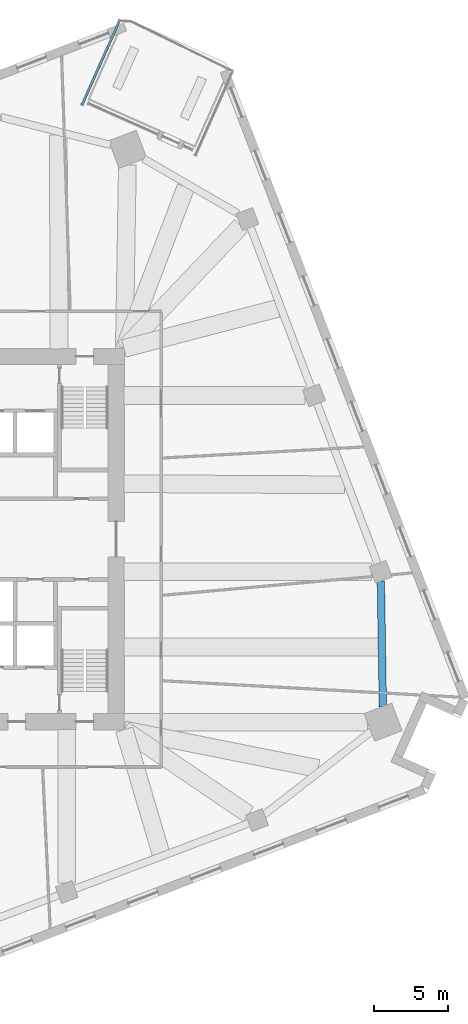
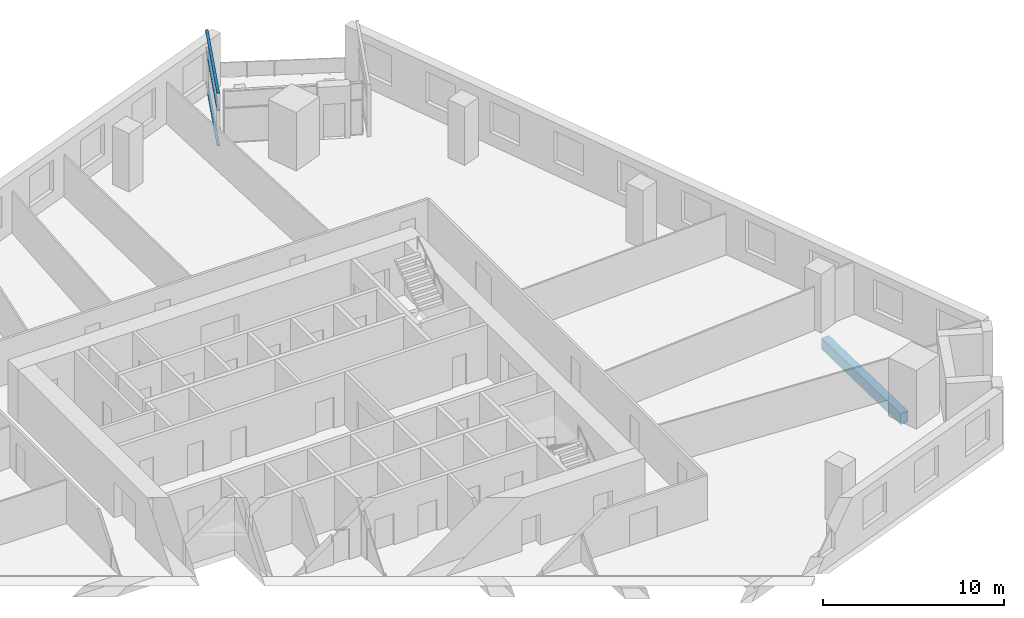
# One storey, part 3 of 14: 3 members, 1 beam, 1 element without a shape of its own.
"""IFC4 building model written with IfcOpenShell, lengths in metres."""

from ifc_helpers import new_model, si_unit, direction, frame, origin, origin_2d, place, context, subcontext, project, spatial, rectangle, extrude, material, material_profile, profile_set, type_object, element, aggregate, save


model = new_model("IFC4")

# Units and contexts
model_context = context("Model", 3, precision=1e-05, world=origin(), true_north=direction((0.0, 1.0)))
body_context = subcontext(model_context, "Body", "Model", "MODEL_VIEW")
ifc_project = project(units=[si_unit("LENGTHUNIT", "METRE"), si_unit("AREAUNIT", "SQUARE_METRE"), si_unit("VOLUMEUNIT", "CUBIC_METRE"), si_unit("PLANEANGLEUNIT", "RADIAN"), si_unit("MASSUNIT", "GRAM", prefix="KILO")], contexts=[model_context])

# Site, building, storey
site_placement = place(None, origin())
site = spatial("IfcSite", under=ifc_project, at=site_placement, CompositionType="ELEMENT")
building_placement = place(site_placement, origin())
building = spatial("IfcBuilding", under=site, at=building_placement, Name="Dilmun Exchange Tower", CompositionType="ELEMENT")
storey_placement = place(building_placement, frame((0.0, 0.0, 110.10009765625)))
storey = spatial("IfcBuildingStorey", under=building, at=storey_placement, Name="L25", CompositionType="ELEMENT", Elevation=110.10009765625)

# Curtain wall, members
ifc_material_1 = material(Name="Anodised aluminium and clear glass", Category="aluminium")
curtain_wall_type = type_object("IfcCurtainWallType", Name="Garden corner glazing", PredefinedType="NOTDEFINED", material=ifc_material_1)
curtain_wall_placement = place(storey_placement, origin())
curtain_wall = element("IfcCurtainWall", 1, at=curtain_wall_placement, inside=storey, type_object=curtain_wall_type, Name="Garden corner glazing run GC3.1", PredefinedType="NOTDEFINED")
ifc_material_2 = material(Name="Anodised aluminium", Category="aluminium")
ifc_material_profile_1 = material_profile(ifc_material_2, rectangle(XDim=0.159912109375, YDim=0.06005859375, at=origin_2d()), Name="AL 60x160")
ifc_profile_set_1 = profile_set([ifc_material_profile_1], Name="Anodised aluminium")
member_type = type_object("IfcMemberType", Name="Garden corner glazing transom 60 x 160", PredefinedType="USERDEFINED", material=ifc_profile_set_1)
member_1_placement = place(storey_placement, frame((10.048095703125, 29.390625, 0.02978515625), z_axis=(0.406741045913, 0.91354349736, 0.0), x_axis=(-0.91354349736, 0.406741045913, 0.0)))
member_1 = element("IfcMember", 2, at=member_1_placement, type_object=member_type, Name="GC3.1 transom 1.1", ObjectType="TRANSOM", PredefinedType="USERDEFINED", context=body_context, shape_type="SweptSolid", body=[
    extrude(rectangle(XDim=0.159912109375, YDim=0.06005859375, at=origin_2d()), origin(), (0.0, 0.0, 1.0), 6.126708984375),
])
member_2_placement = place(storey_placement, frame((10.048095703125, 29.390625, 2.39990234375), z_axis=(0.406741045913, 0.91354349736, 0.0), x_axis=(-0.91354349736, 0.406741045913, 0.0)))
member_2 = element("IfcMember", 3, at=member_2_placement, type_object=member_type, Name="GC3.1 transom 1.2", ObjectType="TRANSOM", PredefinedType="USERDEFINED", context=body_context, shape_type="SweptSolid", body=[
    extrude(rectangle(XDim=0.159912109375, YDim=0.06005859375, at=origin_2d()), origin(), (0.0, 0.0, 1.0), 6.126708984375),
])
member_3_placement = place(storey_placement, frame((10.048095703125, 29.390625, 3.5498046875), z_axis=(0.406741045913, 0.91354349736, 0.0), x_axis=(-0.91354349736, 0.406741045913, 0.0)))
member_3 = element("IfcMember", 4, at=member_3_placement, type_object=member_type, Name="GC3.1 transom 1.3", ObjectType="TRANSOM", PredefinedType="USERDEFINED", context=body_context, shape_type="SweptSolid", body=[
    extrude(rectangle(XDim=0.159912109375, YDim=0.06005859375, at=origin_2d()), origin(), (0.0, 0.0, 1.0), 6.126708984375),
])
aggregate(curtain_wall, [member_1, member_2, member_3])

# Beam
ifc_material_3 = material(Name="Concrete C40/50", Category="concrete")
ifc_material_profile_2 = material_profile(ifc_material_3, rectangle(XDim=0.5, YDim=0.75, at=origin_2d()), Name="500 x 750")
ifc_profile_set_2 = profile_set([ifc_material_profile_2], Name="Concrete C40/50")
beam_type = type_object("IfcBeamType", Name="RC ring beam 500 x 750 C40/50", PredefinedType="SPANDREL", material=ifc_profile_set_2)
beam_placement = place(storey_placement, frame((30.37744140625, -11.33544921875, -0.795166015625), z_axis=(-0.016054357527, 0.999871120497, 0.0), x_axis=(-0.999871120497, -0.016054357527, 0.0)))
element("IfcBeam", 5, at=beam_placement, inside=storey, type_object=beam_type, Name="Ring beam 13", PredefinedType="SPANDREL", context=body_context, shape_type="SweptSolid", body=[
    extrude(rectangle(XDim=0.5, YDim=0.75, at=origin_2d()), origin(), (0.0, 0.0, 1.0), 8.515869140625),
])

save(model, "model.ifc")
